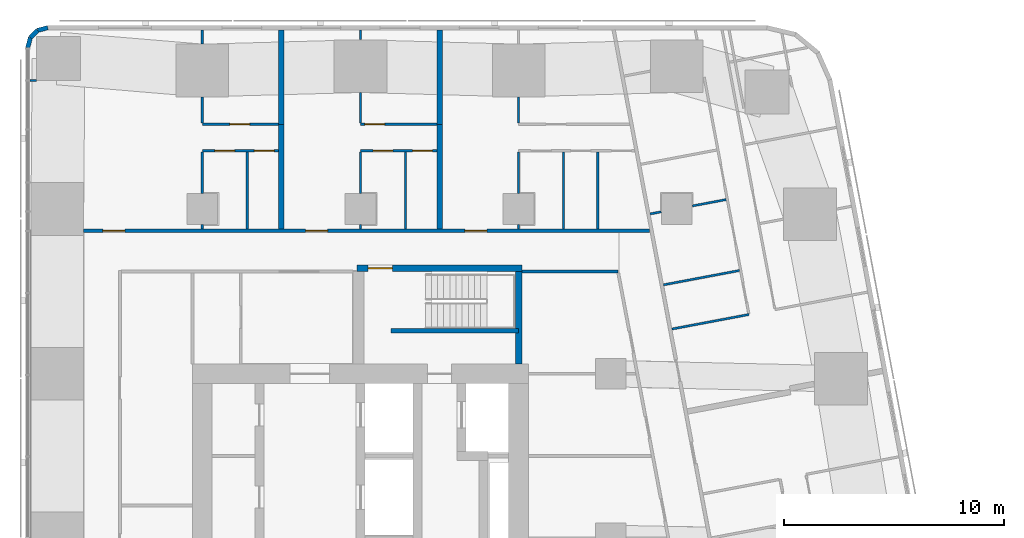
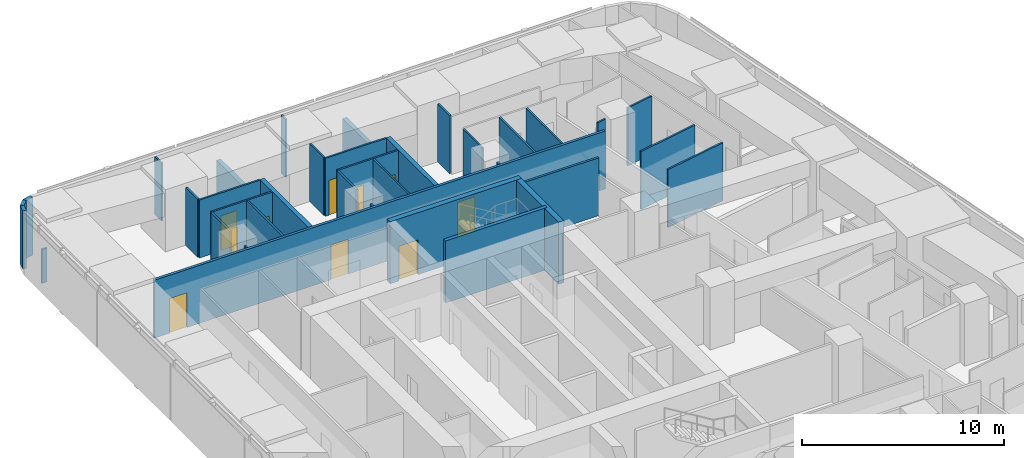
# One storey, part 13 of 17: 36 walls, 10 doors, 10 openings.
"""IFC4 building model written with IfcOpenShell, lengths in metres."""

from ifc_helpers import new_model, si_unit, direction, frame, frame_2d, origin, place, context, subcontext, project, spatial, rectangle, extrude, material, layer, layer_set, type_object, element, fill, save


model = new_model("IFC4")

# Units and contexts
model_context = context("Model", 3, precision=1e-05, world=origin(), true_north=direction((0.0, 1.0)))
body_context = subcontext(model_context, "Body", "Model", "MODEL_VIEW")
ifc_project = project(units=[si_unit("LENGTHUNIT", "METRE"), si_unit("AREAUNIT", "SQUARE_METRE"), si_unit("VOLUMEUNIT", "CUBIC_METRE"), si_unit("PLANEANGLEUNIT", "RADIAN"), si_unit("MASSUNIT", "GRAM", prefix="KILO")], contexts=[model_context])

# Site, building, storey
site_placement = place(None, origin())
site = spatial("IfcSite", under=ifc_project, at=site_placement, CompositionType="ELEMENT")
building_placement = place(site_placement, origin())
building = spatial("IfcBuilding", under=site, at=building_placement, Name="Sheger Commons Tower", CompositionType="ELEMENT")
storey_placement = place(building_placement, frame((0.0, 0.0, 212.449951171875)))
storey = spatial("IfcBuildingStorey", under=building, at=storey_placement, Name="L54", CompositionType="ELEMENT", Elevation=212.449951171875)

# Wall, openings, doors
ifc_material_1 = material(Name="Hollow concrete block masonry, skimmed both sides", Category="masonry")
ifc_layer_1 = layer(ifc_material_1, 0.14990234375)
ifc_layer_set_1 = layer_set([ifc_layer_1], Name="CORRIDOR WALL 150")
wall_type_1 = type_object("IfcWallType", Name="CORRIDOR WALL 150", PredefinedType="SOLIDWALL", material=ifc_layer_set_1)
wall_1_placement = place(storey_placement, frame((9.0009765625, 36.5, 0.0), z_axis=(0.0, 0.0, 1.0), x_axis=(1.0, 0.0, 0.0)))
wall_1 = element("IfcWall", 1, at=wall_1_placement, inside=storey, type_object=wall_type_1, Name="Corridor wall L54", PredefinedType="SOLIDWALL", context=body_context, shape_type="SweptSolid", body=[
    extrude(rectangle(XDim=25.763916015625, YDim=0.14990234375, at=frame_2d((12.8818359375, 0.0))), origin(), (0.0, 0.0, 1.0), 3.5),
])
opening_1_placement = place(wall_1_placement, frame((0.8740234375, 0.0, 0.0)))
opening_1 = element("IfcOpeningElement", 2, at=opening_1_placement, cuts=wall_1, Name="Opening D1", PredefinedType="OPENING", context=body_context, shape_type="SweptSolid", body=[
    extrude(rectangle(XDim=1.0, YDim=2.10009765625, at=frame_2d((0.5, 1.050048828125))), frame((0.0, 0.0849609375, 0.0), z_axis=(0.0, -1.0, 0.0), x_axis=(1.0, 0.0, 0.0)), (0.0, 0.0, 1.0), 0.169921875),
])
opening_2_placement = place(wall_1_placement, frame((10.09912109375, 0.0, 0.0)))
opening_2 = element("IfcOpeningElement", 3, at=opening_2_placement, cuts=wall_1, Name="Opening D1", PredefinedType="OPENING", context=body_context, shape_type="SweptSolid", body=[
    extrude(rectangle(XDim=1.0, YDim=2.10009765625, at=frame_2d((0.5, 1.050048828125))), frame((0.0, 0.0849609375, 0.0), z_axis=(0.0, -1.0, 0.0), x_axis=(1.0, 0.0, 0.0)), (0.0, 0.0, 1.0), 0.169921875),
])
opening_3_placement = place(wall_1_placement, frame((17.35595703125, 0.0, 0.0)))
opening_3 = element("IfcOpeningElement", 4, at=opening_3_placement, cuts=wall_1, Name="Opening D1", PredefinedType="OPENING", context=body_context, shape_type="SweptSolid", body=[
    extrude(rectangle(XDim=1.0, YDim=2.10009765625, at=frame_2d((0.5, 1.050048828125))), frame((0.0, 0.0849609375, 0.0), z_axis=(0.0, -1.0, 0.0), x_axis=(1.0, 0.0, 0.0)), (0.0, 0.0, 1.0), 0.169921875),
])
ifc_material_2 = material(Name="Steel door set, fire rated", Category="steel")
door_type_1 = type_object("IfcDoorType", Name="FLAT ENTRANCE DOOR 1000x2100", OperationType="NOTDEFINED", PredefinedType="DOOR", material=ifc_material_2)
door_1_placement = place(opening_1_placement, origin())
door_1 = element("IfcDoor", 5, at=door_1_placement, inside=storey, type_object=door_type_1, Name="Flat entrance door", OperationType="SINGLE_SWING_LEFT", OverallHeight=2.10009765625, OverallWidth=1.0, PredefinedType="DOOR", context=body_context, shape_type="SweptSolid", body=[
    extrude(rectangle(XDim=1.0, YDim=2.10009765625, at=frame_2d((0.5, 1.050048828125))), frame((0.0, 0.02490234375, 0.0), z_axis=(0.0, -1.0, 0.0), x_axis=(1.0, 0.0, 0.0)), (0.0, 0.0, 1.0), 0.050048828125),
])
fill(opening_1, door_1)
door_2_placement = place(opening_2_placement, origin())
door_2 = element("IfcDoor", 6, at=door_2_placement, inside=storey, type_object=door_type_1, Name="Flat entrance door", OperationType="SINGLE_SWING_LEFT", OverallHeight=2.10009765625, OverallWidth=1.0, PredefinedType="DOOR", context=body_context, shape_type="SweptSolid", body=[
    extrude(rectangle(XDim=1.0, YDim=2.10009765625, at=frame_2d((0.5, 1.050048828125))), frame((0.0, 0.02490234375, 0.0), z_axis=(0.0, -1.0, 0.0), x_axis=(1.0, 0.0, 0.0)), (0.0, 0.0, 1.0), 0.050048828125),
])
fill(opening_2, door_2)
door_3_placement = place(opening_3_placement, origin())
door_3 = element("IfcDoor", 7, at=door_3_placement, inside=storey, type_object=door_type_1, Name="Flat entrance door", OperationType="SINGLE_SWING_LEFT", OverallHeight=2.10009765625, OverallWidth=1.0, PredefinedType="DOOR", context=body_context, shape_type="SweptSolid", body=[
    extrude(rectangle(XDim=1.0, YDim=2.10009765625, at=frame_2d((0.5, 1.050048828125))), frame((0.0, 0.02490234375, 0.0), z_axis=(0.0, -1.0, 0.0), x_axis=(1.0, 0.0, 0.0)), (0.0, 0.0, 1.0), 0.050048828125),
])
fill(opening_3, door_3)

# Walls
ifc_material_3 = material(Name="Dense concrete block masonry, plastered both sides (separating wall between flats)", Category="masonry")
ifc_layer_2 = layer(ifc_material_3, 0.25)
ifc_layer_set_2 = layer_set([ifc_layer_2], Name="DEMISING WALL 250")
wall_type_2 = type_object("IfcWallType", Name="DEMISING WALL 250", PredefinedType="SOLIDWALL", material=ifc_layer_set_2)
wall_2_placement = place(storey_placement, frame((18.0, 41.35009765625, 0.0), z_axis=(0.0, 0.0, 1.0), x_axis=(0.0, 1.0, 0.0)))
element("IfcWall", 8, at=wall_2_placement, inside=storey, type_object=wall_type_2, Name="Demising wall L54", PredefinedType="SOLIDWALL", context=body_context, shape_type="SweptSolid", body=[
    extrude(rectangle(XDim=4.2998046875, YDim=0.25, at=frame_2d((2.14990234375, 0.0))), origin(), (0.0, 0.0, 1.0), 2.050048828125),
])
wall_3_placement = place(storey_placement, frame((18.0, 36.574951171875, 0.0), z_axis=(0.0, 0.0, 1.0), x_axis=(0.0, 1.0, 0.0)))
element("IfcWall", 9, at=wall_3_placement, inside=storey, type_object=wall_type_2, Name="Demising wall L54", PredefinedType="SOLIDWALL", context=body_context, shape_type="SweptSolid", body=[
    extrude(rectangle(XDim=4.775146484375, YDim=0.25, at=frame_2d((2.3876953125, 0.0))), origin(), (0.0, 0.0, 1.0), 3.5),
])
wall_4_placement = place(storey_placement, frame((25.199951171875, 41.35009765625, 0.0), z_axis=(0.0, 0.0, 1.0), x_axis=(0.0, 1.0, 0.0)))
element("IfcWall", 10, at=wall_4_placement, inside=storey, type_object=wall_type_2, Name="Demising wall L54", PredefinedType="SOLIDWALL", context=body_context, shape_type="SweptSolid", body=[
    extrude(rectangle(XDim=4.2998046875, YDim=0.25, at=frame_2d((2.14990234375, 0.0))), origin(), (0.0, 0.0, 1.0), 2.050048828125),
])
wall_5_placement = place(storey_placement, frame((25.199951171875, 36.574951171875, 0.0), z_axis=(0.0, 0.0, 1.0), x_axis=(0.0, 1.0, 0.0)))
element("IfcWall", 11, at=wall_5_placement, inside=storey, type_object=wall_type_2, Name="Demising wall L54", PredefinedType="SOLIDWALL", context=body_context, shape_type="SweptSolid", body=[
    extrude(rectangle(XDim=4.775146484375, YDim=0.25, at=frame_2d((2.3876953125, 0.0))), origin(), (0.0, 0.0, 1.0), 3.5),
])
ifc_material_4 = material(Name="Rendered concrete block masonry, dark grey", Category="masonry")
ifc_layer_3 = layer(ifc_material_4, 0.199951171875)
ifc_layer_set_3 = layer_set([ifc_layer_3], Name="FACADE WALL 200")
wall_type_3 = type_object("IfcWallType", Name="FACADE WALL 200", PredefinedType="SOLIDWALL", material=ifc_layer_set_3)
wall_6_placement = place(storey_placement, frame((7.363037109375, 45.75, 0.0), z_axis=(0.0, 0.0, 1.0), x_axis=(-0.965655254015, -0.259826731483, 0.0)))
element("IfcWall", 12, at=wall_6_placement, inside=storey, type_object=wall_type_3, Name="Facade wall L54", PredefinedType="SOLIDWALL", context=body_context, shape_type="SweptSolid", body=[
    extrude(rectangle(XDim=0.477294921875, YDim=0.199951171875, at=frame_2d((0.23876953125, 0.0))), origin(), (0.0, 0.0, 1.0), 3.5),
])
wall_7_placement = place(storey_placement, frame((6.902099609375, 45.6259765625, 0.0), z_axis=(0.0, 0.0, 1.0), x_axis=(-0.707369890659, -0.706843573776, 0.0)))
element("IfcWall", 13, at=wall_7_placement, inside=storey, type_object=wall_type_3, Name="Facade wall L54", PredefinedType="SOLIDWALL", context=body_context, shape_type="SweptSolid", body=[
    extrude(rectangle(XDim=0.4638671875, YDim=0.199951171875, at=frame_2d((0.23193359375, 0.0))), origin(), (0.0, 0.0, 1.0), 3.5),
])
wall_8_placement = place(storey_placement, frame((6.573974609375, 45.298095703125, 0.0), z_axis=(0.0, 0.0, 1.0), x_axis=(-0.259698463175, -0.965689757751, 0.0)))
element("IfcWall", 14, at=wall_8_placement, inside=storey, type_object=wall_type_3, Name="Facade wall L54", PredefinedType="SOLIDWALL", context=body_context, shape_type="SweptSolid", body=[
    extrude(rectangle(XDim=0.4775390625, YDim=0.199951171875, at=frame_2d((0.23876953125, 0.0))), origin(), (0.0, 0.0, 1.0), 3.5),
])
ifc_material_5 = material(Name="Gypsum board on steel studs", Category="steel")
ifc_layer_4 = layer(ifc_material_5, 0.10009765625)
ifc_layer_set_4 = layer_set([ifc_layer_4], Name="PARTITION 100")
wall_type_4 = type_object("IfcWallType", Name="PARTITION 100", PredefinedType="PARTITIONING", material=ifc_layer_set_4)
wall_9_placement = place(storey_placement, frame((38.25, 37.925048828125, 0.0), z_axis=(0.0, 0.0, 1.0), x_axis=(-0.982610209589, -0.185680305934, 0.0)))
element("IfcWall", 15, at=wall_9_placement, inside=storey, type_object=wall_type_4, Name="Partition L54", PredefinedType="PARTITIONING", context=body_context, shape_type="SweptSolid", body=[
    extrude(rectangle(XDim=1.5673828125, YDim=0.10009765625, at=frame_2d((0.78369140625, 0.0))), origin(), (0.0, 0.0, 1.0), 3.5),
])
wall_10_placement = place(storey_placement, frame((35.2900390625, 37.365966796875, 0.0), z_axis=(0.0, 0.0, 1.0), x_axis=(-0.982715597703, -0.185121727606, 0.0)))
element("IfcWall", 16, at=wall_10_placement, inside=storey, type_object=wall_type_4, Name="Partition L54", PredefinedType="PARTITIONING", context=body_context, shape_type="SweptSolid", body=[
    extrude(rectangle(XDim=0.512939453125, YDim=0.10009765625, at=frame_2d((0.25634765625, 0.0))), origin(), (0.0, 0.0, 1.0), 3.5),
])
wall_11_placement = place(storey_placement, frame((39.2890625, 32.69189453125, 0.0), z_axis=(0.0, 0.0, 1.0), x_axis=(-0.982662827464, -0.185401638399, 0.0)))
element("IfcWall", 17, at=wall_11_placement, inside=storey, type_object=wall_type_4, Name="Partition L54", PredefinedType="PARTITIONING", context=body_context, shape_type="SweptSolid", body=[
    extrude(rectangle(XDim=3.5751953125, YDim=0.10009765625, at=frame_2d((1.78759765625, 0.0))), origin(), (0.0, 0.0, 1.0), 3.5),
])
wall_12_placement = place(storey_placement, frame((38.85888671875, 34.697021484375, 0.0), z_axis=(0.0, 0.0, 1.0), x_axis=(-0.982626628545, -0.185593396635, 0.0)))
element("IfcWall", 18, at=wall_12_placement, inside=storey, type_object=wall_type_4, Name="Partition L54", PredefinedType="PARTITIONING", context=body_context, shape_type="SweptSolid", body=[
    extrude(rectangle(XDim=3.524169921875, YDim=0.10009765625, at=frame_2d((1.76220703125, 0.0))), origin(), (0.0, 0.0, 1.0), 3.5),
])
wall_13_placement = place(storey_placement, frame((6.85400390625, 43.345947265625, 0.0), z_axis=(0.0, 0.0, 1.0), x_axis=(-1.0, 0.0, 0.0)))
element("IfcWall", 19, at=wall_13_placement, inside=storey, type_object=wall_type_4, Name="Partition L54", PredefinedType="PARTITIONING", context=body_context, shape_type="SweptSolid", body=[
    extrude(rectangle(XDim=0.303955078125, YDim=0.10009765625, at=frame_2d((0.15185546875, 0.0))), origin(), (0.0, 0.0, 1.0), 2.050048828125),
])

# Wall, opening, door
wall_14_placement = place(storey_placement, frame((14.39990234375, 41.35009765625, 0.0), z_axis=(0.0, 0.0, 1.0), x_axis=(1.0, 0.0, 0.0)))
wall_14 = element("IfcWall", 20, at=wall_14_placement, inside=storey, type_object=wall_type_4, Name="Partition L54", PredefinedType="PARTITIONING", context=body_context, shape_type="SweptSolid", body=[
    extrude(rectangle(XDim=3.47509765625, YDim=0.10009765625, at=frame_2d((1.737548828125, 0.0))), origin(), (0.0, 0.0, 1.0), 3.5),
])
opening_4_placement = place(wall_14_placement, frame((1.25, 0.0, 0.0)))
opening_4 = element("IfcOpeningElement", 21, at=opening_4_placement, cuts=wall_14, Name="Opening D2", PredefinedType="OPENING", context=body_context, shape_type="SweptSolid", body=[
    extrude(rectangle(XDim=0.89990234375, YDim=2.10009765625, at=frame_2d((0.449951171875, 1.050048828125))), frame((0.0, 0.06005859375, 0.0), z_axis=(0.0, -1.0, 0.0), x_axis=(1.0, 0.0, 0.0)), (0.0, 0.0, 1.0), 0.1201171875),
])
ifc_material_6 = material(Name="Timber door set", Category="wood")
door_type_2 = type_object("IfcDoorType", Name="INTERNAL DOOR 900x2100", OperationType="NOTDEFINED", PredefinedType="DOOR", material=ifc_material_6)
door_4_placement = place(opening_4_placement, origin())
door_4 = element("IfcDoor", 22, at=door_4_placement, inside=storey, type_object=door_type_2, Name="Main bedroom door", OperationType="SINGLE_SWING_LEFT", OverallHeight=2.10009765625, OverallWidth=0.89990234375, PredefinedType="DOOR", context=body_context, shape_type="SweptSolid", body=[
    extrude(rectangle(XDim=0.89990234375, YDim=2.10009765625, at=frame_2d((0.449951171875, 1.050048828125))), frame((0.0, 0.02490234375, 0.0), z_axis=(0.0, -1.0, 0.0), x_axis=(1.0, 0.0, 0.0)), (0.0, 0.0, 1.0), 0.050048828125),
])
fill(opening_4, door_4)

# Wall, openings, doors
wall_15_placement = place(storey_placement, frame((14.39990234375, 40.14990234375, 0.0), z_axis=(0.0, 0.0, 1.0), x_axis=(1.0, 0.0, 0.0)))
wall_15 = element("IfcWall", 23, at=wall_15_placement, inside=storey, type_object=wall_type_4, Name="Partition L54", PredefinedType="PARTITIONING", context=body_context, shape_type="SweptSolid", body=[
    extrude(rectangle(XDim=3.47509765625, YDim=0.10009765625, at=frame_2d((1.737548828125, 0.0))), origin(), (0.0, 0.0, 1.0), 3.5),
])
opening_5_placement = place(wall_15_placement, frame((0.574951171875, 0.0, 0.0)))
opening_5 = element("IfcOpeningElement", 24, at=opening_5_placement, cuts=wall_15, Name="Opening D2", PredefinedType="OPENING", context=body_context, shape_type="SweptSolid", body=[
    extrude(rectangle(XDim=0.89990234375, YDim=2.10009765625, at=frame_2d((0.449951171875, 1.050048828125))), frame((0.0, 0.06005859375, 0.0), z_axis=(0.0, -1.0, 0.0), x_axis=(1.0, 0.0, 0.0)), (0.0, 0.0, 1.0), 0.1201171875),
])
opening_6_placement = place(wall_15_placement, frame((2.375, 0.0, 0.0)))
opening_6 = element("IfcOpeningElement", 25, at=opening_6_placement, cuts=wall_15, Name="Opening D2", PredefinedType="OPENING", context=body_context, shape_type="SweptSolid", body=[
    extrude(rectangle(XDim=0.89990234375, YDim=2.10009765625, at=frame_2d((0.449951171875, 1.050048828125))), frame((0.0, 0.06005859375, 0.0), z_axis=(0.0, -1.0, 0.0), x_axis=(1.0, 0.0, 0.0)), (0.0, 0.0, 1.0), 0.1201171875),
])
door_5_placement = place(opening_5_placement, origin())
door_5 = element("IfcDoor", 26, at=door_5_placement, inside=storey, type_object=door_type_2, Name="Bathroom door", OperationType="SINGLE_SWING_RIGHT", OverallHeight=2.10009765625, OverallWidth=0.89990234375, PredefinedType="DOOR", context=body_context, shape_type="SweptSolid", body=[
    extrude(rectangle(XDim=0.89990234375, YDim=2.10009765625, at=frame_2d((0.449951171875, 1.050048828125))), frame((0.0, 0.02490234375, 0.0), z_axis=(0.0, -1.0, 0.0), x_axis=(1.0, 0.0, 0.0)), (0.0, 0.0, 1.0), 0.050048828125),
])
fill(opening_5, door_5)
door_6_placement = place(opening_6_placement, origin())
door_6 = element("IfcDoor", 27, at=door_6_placement, inside=storey, type_object=door_type_2, Name="Store door", OperationType="SINGLE_SWING_LEFT", OverallHeight=2.10009765625, OverallWidth=0.89990234375, PredefinedType="DOOR", context=body_context, shape_type="SweptSolid", body=[
    extrude(rectangle(XDim=0.89990234375, YDim=2.10009765625, at=frame_2d((0.449951171875, 1.050048828125))), frame((0.0, 0.02490234375, 0.0), z_axis=(0.0, -1.0, 0.0), x_axis=(1.0, 0.0, 0.0)), (0.0, 0.0, 1.0), 0.050048828125),
])
fill(opening_6, door_6)

# Walls
wall_16_placement = place(storey_placement, frame((14.39990234375, 41.39990234375, 0.0), z_axis=(0.0, 0.0, 1.0), x_axis=(0.0, 1.0, 0.0)))
element("IfcWall", 28, at=wall_16_placement, inside=storey, type_object=wall_type_4, Name="Partition L54", PredefinedType="PARTITIONING", context=body_context, shape_type="SweptSolid", body=[
    extrude(rectangle(XDim=1.19921875, YDim=0.10009765625, at=frame_2d((0.599609375, 0.0))), origin(), (0.0, 0.0, 1.0), 3.5),
])
wall_17_placement = place(storey_placement, frame((14.39990234375, 45.0009765625, 0.0), z_axis=(0.0, 0.0, 1.0), x_axis=(0.0, 1.0, 0.0)))
element("IfcWall", 29, at=wall_17_placement, inside=storey, type_object=wall_type_4, Name="Partition L54", PredefinedType="PARTITIONING", context=body_context, shape_type="SweptSolid", body=[
    extrude(rectangle(XDim=0.64892578125, YDim=0.10009765625, at=frame_2d((0.324462890625, 0.0))), origin(), (0.0, 0.0, 1.0), 3.5),
])
wall_18_placement = place(storey_placement, frame((14.39990234375, 36.574951171875, 0.0), z_axis=(0.0, 0.0, 1.0), x_axis=(0.0, 1.0, 0.0)))
element("IfcWall", 30, at=wall_18_placement, inside=storey, type_object=wall_type_4, Name="Partition L54", PredefinedType="PARTITIONING", context=body_context, shape_type="SweptSolid", body=[
    extrude(rectangle(XDim=0.22412109375, YDim=0.10009765625, at=frame_2d((0.112060546875, 0.0))), origin(), (0.0, 0.0, 1.0), 3.5),
])
wall_19_placement = place(storey_placement, frame((14.39990234375, 38.200927734375, 0.0), z_axis=(0.0, 0.0, 1.0), x_axis=(0.0, 1.0, 0.0)))
element("IfcWall", 31, at=wall_19_placement, inside=storey, type_object=wall_type_4, Name="Partition L54", PredefinedType="PARTITIONING", context=body_context, shape_type="SweptSolid", body=[
    extrude(rectangle(XDim=1.899169921875, YDim=0.10009765625, at=frame_2d((0.94970703125, 0.0))), origin(), (0.0, 0.0, 1.0), 3.5),
])
wall_20_placement = place(storey_placement, frame((16.449951171875, 36.574951171875, 0.0), z_axis=(0.0, 0.0, 1.0), x_axis=(0.0, 1.0, 0.0)))
element("IfcWall", 32, at=wall_20_placement, inside=storey, type_object=wall_type_4, Name="Partition L54", PredefinedType="PARTITIONING", context=body_context, shape_type="SweptSolid", body=[
    extrude(rectangle(XDim=3.525146484375, YDim=0.10009765625, at=frame_2d((1.7626953125, 0.0))), origin(), (0.0, 0.0, 1.0), 3.5),
])

# Wall, opening, door
wall_21_placement = place(storey_placement, frame((21.60009765625, 41.35009765625, 0.0), z_axis=(0.0, 0.0, 1.0), x_axis=(1.0, 0.0, 0.0)))
wall_21 = element("IfcWall", 33, at=wall_21_placement, inside=storey, type_object=wall_type_4, Name="Partition L54", PredefinedType="PARTITIONING", context=body_context, shape_type="SweptSolid", body=[
    extrude(rectangle(XDim=3.474853515625, YDim=0.10009765625, at=frame_2d((1.7373046875, 0.0))), origin(), (0.0, 0.0, 1.0), 3.5),
])
opening_7_placement = place(wall_21_placement, frame((0.199951171875, 0.0, 0.0)))
opening_7 = element("IfcOpeningElement", 34, at=opening_7_placement, cuts=wall_21, Name="Opening D2", PredefinedType="OPENING", context=body_context, shape_type="SweptSolid", body=[
    extrude(rectangle(XDim=0.89990234375, YDim=2.10009765625, at=frame_2d((0.449951171875, 1.050048828125))), frame((0.0, 0.06005859375, 0.0), z_axis=(0.0, -1.0, 0.0), x_axis=(1.0, 0.0, 0.0)), (0.0, 0.0, 1.0), 0.1201171875),
])
door_7_placement = place(opening_7_placement, origin())
door_7 = element("IfcDoor", 35, at=door_7_placement, inside=storey, type_object=door_type_2, Name="Main bedroom door", OperationType="SINGLE_SWING_LEFT", OverallHeight=2.10009765625, OverallWidth=0.89990234375, PredefinedType="DOOR", context=body_context, shape_type="SweptSolid", body=[
    extrude(rectangle(XDim=0.89990234375, YDim=2.10009765625, at=frame_2d((0.449951171875, 1.050048828125))), frame((0.0, 0.02490234375, 0.0), z_axis=(0.0, -1.0, 0.0), x_axis=(1.0, 0.0, 0.0)), (0.0, 0.0, 1.0), 0.050048828125),
])
fill(opening_7, door_7)

# Wall, openings, doors
wall_22_placement = place(storey_placement, frame((21.60009765625, 40.14990234375, 0.0), z_axis=(0.0, 0.0, 1.0), x_axis=(1.0, 0.0, 0.0)))
wall_22 = element("IfcWall", 36, at=wall_22_placement, inside=storey, type_object=wall_type_4, Name="Partition L54", PredefinedType="PARTITIONING", context=body_context, shape_type="SweptSolid", body=[
    extrude(rectangle(XDim=3.474853515625, YDim=0.10009765625, at=frame_2d((1.7373046875, 0.0))), origin(), (0.0, 0.0, 1.0), 3.5),
])
opening_8_placement = place(wall_22_placement, frame((0.574951171875, 0.0, 0.0)))
opening_8 = element("IfcOpeningElement", 37, at=opening_8_placement, cuts=wall_22, Name="Opening D2", PredefinedType="OPENING", context=body_context, shape_type="SweptSolid", body=[
    extrude(rectangle(XDim=0.89990234375, YDim=2.10009765625, at=frame_2d((0.449951171875, 1.050048828125))), frame((0.0, 0.06005859375, 0.0), z_axis=(0.0, -1.0, 0.0), x_axis=(1.0, 0.0, 0.0)), (0.0, 0.0, 1.0), 0.1201171875),
])
opening_9_placement = place(wall_22_placement, frame((2.375, 0.0, 0.0)))
opening_9 = element("IfcOpeningElement", 38, at=opening_9_placement, cuts=wall_22, Name="Opening D2", PredefinedType="OPENING", context=body_context, shape_type="SweptSolid", body=[
    extrude(rectangle(XDim=0.89990234375, YDim=2.10009765625, at=frame_2d((0.449951171875, 1.050048828125))), frame((0.0, 0.06005859375, 0.0), z_axis=(0.0, -1.0, 0.0), x_axis=(1.0, 0.0, 0.0)), (0.0, 0.0, 1.0), 0.1201171875),
])
door_8_placement = place(opening_8_placement, origin())
door_8 = element("IfcDoor", 39, at=door_8_placement, inside=storey, type_object=door_type_2, Name="Bathroom door", OperationType="SINGLE_SWING_RIGHT", OverallHeight=2.10009765625, OverallWidth=0.89990234375, PredefinedType="DOOR", context=body_context, shape_type="SweptSolid", body=[
    extrude(rectangle(XDim=0.89990234375, YDim=2.10009765625, at=frame_2d((0.449951171875, 1.050048828125))), frame((0.0, 0.02490234375, 0.0), z_axis=(0.0, -1.0, 0.0), x_axis=(1.0, 0.0, 0.0)), (0.0, 0.0, 1.0), 0.050048828125),
])
fill(opening_8, door_8)
door_9_placement = place(opening_9_placement, origin())
door_9 = element("IfcDoor", 40, at=door_9_placement, inside=storey, type_object=door_type_2, Name="Store door", OperationType="SINGLE_SWING_LEFT", OverallHeight=2.10009765625, OverallWidth=0.89990234375, PredefinedType="DOOR", context=body_context, shape_type="SweptSolid", body=[
    extrude(rectangle(XDim=0.89990234375, YDim=2.10009765625, at=frame_2d((0.449951171875, 1.050048828125))), frame((0.0, 0.02490234375, 0.0), z_axis=(0.0, -1.0, 0.0), x_axis=(1.0, 0.0, 0.0)), (0.0, 0.0, 1.0), 0.050048828125),
])
fill(opening_9, door_9)

# Walls
wall_23_placement = place(storey_placement, frame((21.60009765625, 41.39990234375, 0.0), z_axis=(0.0, 0.0, 1.0), x_axis=(0.0, 1.0, 0.0)))
element("IfcWall", 41, at=wall_23_placement, inside=storey, type_object=wall_type_4, Name="Partition L54", PredefinedType="PARTITIONING", context=body_context, shape_type="SweptSolid", body=[
    extrude(rectangle(XDim=1.399169921875, YDim=0.10009765625, at=frame_2d((0.69970703125, 0.0))), origin(), (0.0, 0.0, 1.0), 3.5),
])
wall_24_placement = place(storey_placement, frame((21.60009765625, 45.200927734375, 0.0), z_axis=(0.0, 0.0, 1.0), x_axis=(0.0, 1.0, 0.0)))
element("IfcWall", 42, at=wall_24_placement, inside=storey, type_object=wall_type_4, Name="Partition L54", PredefinedType="PARTITIONING", context=body_context, shape_type="SweptSolid", body=[
    extrude(rectangle(XDim=0.448974609375, YDim=0.10009765625, at=frame_2d((0.224609375, 0.0))), origin(), (0.0, 0.0, 1.0), 3.5),
])
wall_25_placement = place(storey_placement, frame((21.60009765625, 36.574951171875, 0.0), z_axis=(0.0, 0.0, 1.0), x_axis=(0.0, 1.0, 0.0)))
element("IfcWall", 43, at=wall_25_placement, inside=storey, type_object=wall_type_4, Name="Partition L54", PredefinedType="PARTITIONING", context=body_context, shape_type="SweptSolid", body=[
    extrude(rectangle(XDim=0.22412109375, YDim=0.10009765625, at=frame_2d((0.112060546875, 0.0))), origin(), (0.0, 0.0, 1.0), 3.5),
])
wall_26_placement = place(storey_placement, frame((21.60009765625, 38.200927734375, 0.0), z_axis=(0.0, 0.0, 1.0), x_axis=(0.0, 1.0, 0.0)))
element("IfcWall", 44, at=wall_26_placement, inside=storey, type_object=wall_type_4, Name="Partition L54", PredefinedType="PARTITIONING", context=body_context, shape_type="SweptSolid", body=[
    extrude(rectangle(XDim=1.899169921875, YDim=0.10009765625, at=frame_2d((0.94970703125, 0.0))), origin(), (0.0, 0.0, 1.0), 3.5),
])
wall_27_placement = place(storey_placement, frame((23.64990234375, 36.574951171875, 0.0), z_axis=(0.0, 0.0, 1.0), x_axis=(0.0, 1.0, 0.0)))
element("IfcWall", 45, at=wall_27_placement, inside=storey, type_object=wall_type_4, Name="Partition L54", PredefinedType="PARTITIONING", context=body_context, shape_type="SweptSolid", body=[
    extrude(rectangle(XDim=3.525146484375, YDim=0.10009765625, at=frame_2d((1.7626953125, 0.0))), origin(), (0.0, 0.0, 1.0), 3.5),
])
wall_28_placement = place(storey_placement, frame((28.800048828125, 41.39990234375, 0.0), z_axis=(0.0, 0.0, 1.0), x_axis=(0.0, 1.0, 0.0)))
element("IfcWall", 46, at=wall_28_placement, inside=storey, type_object=wall_type_4, Name="Partition L54", PredefinedType="PARTITIONING", context=body_context, shape_type="SweptSolid", body=[
    extrude(rectangle(XDim=1.19921875, YDim=0.10009765625, at=frame_2d((0.599609375, 0.0))), origin(), (0.0, 0.0, 1.0), 3.5),
])
wall_29_placement = place(storey_placement, frame((28.800048828125, 36.574951171875, 0.0), z_axis=(0.0, 0.0, 1.0), x_axis=(0.0, 1.0, 0.0)))
element("IfcWall", 47, at=wall_29_placement, inside=storey, type_object=wall_type_4, Name="Partition L54", PredefinedType="PARTITIONING", context=body_context, shape_type="SweptSolid", body=[
    extrude(rectangle(XDim=0.22412109375, YDim=0.10009765625, at=frame_2d((0.112060546875, 0.0))), origin(), (0.0, 0.0, 1.0), 3.5),
])
wall_30_placement = place(storey_placement, frame((28.800048828125, 38.200927734375, 0.0), z_axis=(0.0, 0.0, 1.0), x_axis=(0.0, 1.0, 0.0)))
element("IfcWall", 48, at=wall_30_placement, inside=storey, type_object=wall_type_4, Name="Partition L54", PredefinedType="PARTITIONING", context=body_context, shape_type="SweptSolid", body=[
    extrude(rectangle(XDim=1.899169921875, YDim=0.10009765625, at=frame_2d((0.94970703125, 0.0))), origin(), (0.0, 0.0, 1.0), 3.5),
])
for number, where, z_axis, x_axis, name in (
    (49, (32.39990234375, 36.574951171875, 0.0), (0.0, 0.0, 1.0), (0.0, 1.0, 0.0), "Partition L54"),
    (50, (30.85009765625, 36.574951171875, 0.0), (0.0, 0.0, 1.0), (0.0, 1.0, 0.0), "Partition L54"),
):
    element("IfcWall", number, at=place(storey_placement, frame(where, z_axis=z_axis, x_axis=x_axis)), inside=storey, type_object=wall_type_4, Name=name, PredefinedType="PARTITIONING", context=body_context, shape_type="SweptSolid", body=[
        extrude(rectangle(XDim=3.525146484375, YDim=0.10009765625, at=frame_2d((1.7626953125, 0.0))), origin(), (0.0, 0.0, 1.0), 3.5),
    ])
ifc_material_7 = material(Name="Gypsum board on steel studs, two layers each side, fire rated", Category="steel")
ifc_layer_5 = layer(ifc_material_7, 0.125)
ifc_layer_set_5 = layer_set([ifc_layer_5], Name="SERVICE WALL 125")
wall_type_5 = type_object("IfcWallType", Name="SERVICE WALL 125", PredefinedType="PARTITIONING", material=ifc_layer_set_5)
wall_31_placement = place(storey_placement, frame((28.949951171875, 34.64990234375, 0.0), z_axis=(0.0, 0.0, 1.0), x_axis=(1.0, 0.0, 0.0)))
element("IfcWall", 51, at=wall_31_placement, inside=storey, type_object=wall_type_5, Name="Service room wall L54", PredefinedType="PARTITIONING", context=body_context, shape_type="SweptSolid", body=[
    extrude(rectangle(XDim=4.381103515625, YDim=0.125, at=frame_2d((2.1904296875, 0.0))), origin(), (0.0, 0.0, 1.0), 3.5),
])

# Wall, opening, door
ifc_material_8 = material(Name="Concrete C50/60", Category="concrete")
ifc_layer_6 = layer(ifc_material_8, 0.300048828125)
ifc_layer_set_6 = layer_set([ifc_layer_6], Name="STAIR CORE WALL 300")
wall_type_6 = type_object("IfcWallType", Name="STAIR CORE WALL 300", PredefinedType="SHEAR", material=ifc_layer_set_6)
wall_32_placement = place(storey_placement, frame((21.449951171875, 34.800048828125, 0.0), z_axis=(0.0, 0.0, 1.0), x_axis=(1.0, 0.0, 0.0)))
wall_32 = element("IfcWall", 52, at=wall_32_placement, inside=storey, type_object=wall_type_6, Name="STW-L54-S2N", PredefinedType="SHEAR", context=body_context, shape_type="SweptSolid", body=[
    extrude(rectangle(XDim=7.5, YDim=0.300048828125, at=frame_2d((3.75, 0.0))), origin(), (0.0, 0.0, 1.0), 3.75),
])
opening_10_placement = place(wall_32_placement, frame((0.5, 0.0, 0.0)))
opening_10 = element("IfcOpeningElement", 53, at=opening_10_placement, cuts=wall_32, Name="Opening D5", PredefinedType="OPENING", context=body_context, shape_type="SweptSolid", body=[
    extrude(rectangle(XDim=1.10009765625, YDim=2.10009765625, at=frame_2d((0.550048828125, 1.050048828125))), frame((0.0, 0.159912109375, 0.0), z_axis=(0.0, -1.0, 0.0), x_axis=(1.0, 0.0, 0.0)), (0.0, 0.0, 1.0), 0.320068359375),
])
ifc_material_9 = material(Name="Steel door set, fire rated", Category="steel")
door_type_3 = type_object("IfcDoorType", Name="STAIR DOOR 1100x2100", OperationType="NOTDEFINED", PredefinedType="DOOR", material=ifc_material_9)
door_10_placement = place(opening_10_placement, origin())
door_10 = element("IfcDoor", 54, at=door_10_placement, inside=storey, type_object=door_type_3, Name="Stair S2 door", OperationType="SINGLE_SWING_RIGHT", OverallHeight=2.10009765625, OverallWidth=1.10009765625, PredefinedType="DOOR", context=body_context, shape_type="SweptSolid", body=[
    extrude(rectangle(XDim=1.10009765625, YDim=2.10009765625, at=frame_2d((0.550048828125, 1.050048828125))), frame((0.0, 0.02490234375, 0.0), z_axis=(0.0, -1.0, 0.0), x_axis=(1.0, 0.0, 0.0)), (0.0, 0.0, 1.0), 0.050048828125),
])
fill(opening_10, door_10)

# Walls
wall_33_placement = place(storey_placement, frame((28.800048828125, 30.449951171875, 0.0), z_axis=(0.0, 0.0, 1.0), x_axis=(0.0, 1.0, 0.0)))
element("IfcWall", 55, at=wall_33_placement, inside=storey, type_object=wall_type_6, Name="STW-L54-S2E", PredefinedType="SHEAR", context=body_context, shape_type="SweptSolid", body=[
    extrude(rectangle(XDim=4.199951171875, YDim=0.300048828125, at=frame_2d((2.10009765625, 0.0))), origin(), (0.0, 0.0, 1.0), 3.75),
])
ifc_material_10 = material(Name="Concrete C50/60", Category="concrete")
ifc_layer_7 = layer(ifc_material_10, 0.199951171875)
ifc_layer_set_7 = layer_set([ifc_layer_7], Name="STAIR SPINE WALL 200")
wall_type_7 = type_object("IfcWallType", Name="STAIR SPINE WALL 200", PredefinedType="SHEAR", material=ifc_layer_set_7)
wall_34_placement = place(storey_placement, frame((23.0, 31.949951171875, 0.0), z_axis=(0.0, 0.0, 1.0), x_axis=(1.0, 0.0, 0.0)))
element("IfcWall", 56, at=wall_34_placement, inside=storey, type_object=wall_type_7, Name="Stair spine wall L54", PredefinedType="SHEAR", context=body_context, shape_type="SweptSolid", body=[
    extrude(rectangle(XDim=5.800048828125, YDim=0.199951171875, at=frame_2d((2.89990234375, 0.0))), origin(), (0.0, 0.0, 1.0), 3.75),
])

save(model, "model.ifc")
